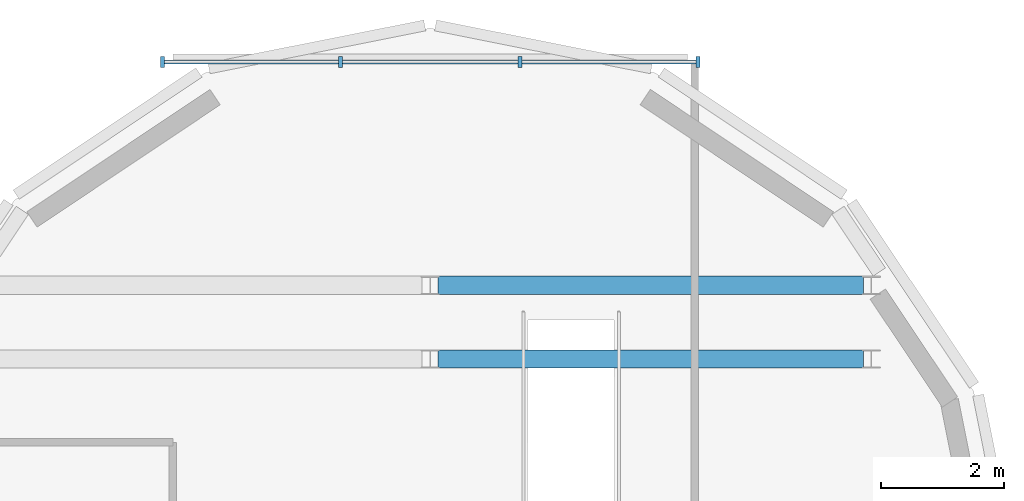
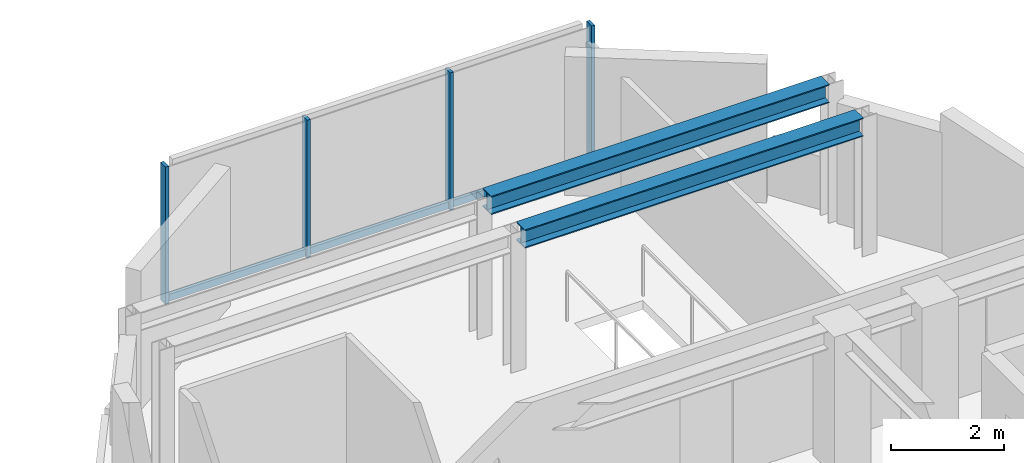
# One storey, part 6 of 12: 7 members, 2 beams, 1 element without a shape of its own.
"""IFC4 building model written with IfcOpenShell, lengths in metres."""

from ifc_helpers import new_model, si_unit, direction, frame, origin, origin_2d, place, context, subcontext, project, spatial, rectangle, i_section, extrude, source, transform, mapped, material, material_profile, profile_set, type_object, element, aggregate, save


model = new_model("IFC4")

# Units and contexts
model_context = context("Model", 3, precision=1e-05, world=origin(), true_north=direction((0.0, 1.0)))
body_context = subcontext(model_context, "Body", "Model", "MODEL_VIEW")
ifc_project = project(units=[si_unit("LENGTHUNIT", "METRE"), si_unit("AREAUNIT", "SQUARE_METRE"), si_unit("VOLUMEUNIT", "CUBIC_METRE"), si_unit("PLANEANGLEUNIT", "RADIAN"), si_unit("MASSUNIT", "GRAM", prefix="KILO")], contexts=[model_context])

# Site, building, storey
site_placement = place(None, origin())
site = spatial("IfcSite", under=ifc_project, at=site_placement, CompositionType="ELEMENT")
building_placement = place(site_placement, origin())
building = spatial("IfcBuilding", under=site, at=building_placement, Name="Keilestroom Media Tower", CompositionType="ELEMENT")
storey_placement = place(building_placement, frame((0.0, 0.0, 233.199951171875)))
storey = spatial("IfcBuildingStorey", under=building, at=storey_placement, Name="L64", CompositionType="ELEMENT", Elevation=233.199951171875)

# Beams
ifc_material_1 = material(Name="Steel S355", Category="steel")
ifc_material_profile_1 = material_profile(ifc_material_1, i_section(OverallWidth=0.300048828125, OverallDepth=0.39990234375, WebThickness=0.011474609375, FlangeThickness=0.02392578125, at=origin_2d()), Name="HEB 400")
ifc_profile_set_1 = profile_set([ifc_material_profile_1], Name="Steel S355")
beam_type = type_object("IfcBeamType", Name="Primary-Structural-Girder-HEB-400", PredefinedType="BEAM", material=ifc_profile_set_1)
shared_shape_1 = source(origin(), body_context, "Body", "SweptSolid", [
    extrude(i_section(OverallWidth=0.300048828125, OverallDepth=0.39990234375, WebThickness=0.011474609375, FlangeThickness=0.02392578125, at=origin_2d()), origin(), (0.0, 0.0, 1.0), 6.940185546875),
])
for number, where, z_axis, x_axis, name in (
    (1, (0.1298828125, 14.39990234375, 2.81005859375), (1.0, 0.0, 0.0), (0.0, 1.0, 0.0), "L64 Beam BG-8 BM-L64-EW-022"),
    (2, (0.1298828125, 15.60009765625, 2.81005859375), (1.0, 0.0, 0.0), (0.0, 1.0, 0.0), "L64 Beam BG-8 BM-L64-EW-024"),
):
    element("IfcBeam", number, at=place(storey_placement, frame(where, z_axis=z_axis, x_axis=x_axis)), inside=storey, type_object=beam_type, Name=name, PredefinedType="BEAM", context=body_context, shape_type="MappedRepresentation", body=[
        mapped(shared_shape_1, transform((0.0, 0.0, 0.0), x_axis=(1.0, 0.0, 0.0), y_axis=(0.0, 1.0, 0.0), z_axis=(0.0, 0.0, 1.0), scale=1.0)),
    ])

# Curtain wall, members
ifc_material_2 = material(Name="Anodised Aluminium Alloy", Category="aluminium")
curtain_wall_type = type_object("IfcCurtainWallType", Name="Unitised-Curtain-Wall-CW-6", PredefinedType="NOTDEFINED", material=ifc_material_2)
curtain_wall_placement = place(storey_placement, origin())
curtain_wall = element("IfcCurtainWall", 3, at=curtain_wall_placement, inside=storey, type_object=curtain_wall_type, Name="L64 Curtain Wall CW-6 CW-L64-LN-1", PredefinedType="NOTDEFINED")
ifc_material_profile_2 = material_profile(ifc_material_2, rectangle(XDim=0.06494140625, YDim=0.179931640625, at=origin_2d()), Name="ALU MULLION 65x180")
ifc_profile_set_2 = profile_set([ifc_material_profile_2], Name="Anodised Aluminium Alloy")
member_type_1 = type_object("IfcMemberType", Name="Curtain-Wall-Mullion-CW-6", PredefinedType="MULLION", material=ifc_profile_set_2)
shared_shape_2 = source(origin(), body_context, "Body", "SweptSolid", [
    extrude(rectangle(XDim=0.06494140625, YDim=0.179931640625, at=origin_2d()), origin(), (0.0, 0.0, 1.0), 2.97998046875),
])
member_1_placement = place(storey_placement, frame((-4.367431640625, 19.25, 0.0), z_axis=(0.0, 0.0, 1.0), x_axis=(1.0, 0.0, 0.0)))
member_1 = element("IfcMember", 4, at=member_1_placement, type_object=member_type_1, Name="CW-6 Mullion 00", PredefinedType="MULLION", context=body_context, shape_type="MappedRepresentation", body=[
    mapped(shared_shape_2, transform((0.0, 0.0, 0.0), x_axis=(1.0, 0.0, 0.0), y_axis=(0.0, 1.0, 0.0), z_axis=(0.0, 0.0, 1.0), scale=1.0)),
])
member_2_placement = place(storey_placement, frame((-1.466796875, 19.25, 0.0), z_axis=(0.0, 0.0, 1.0), x_axis=(1.0, 0.0, 0.0)))
member_2 = element("IfcMember", 5, at=member_2_placement, type_object=member_type_1, Name="CW-6 Mullion 01", PredefinedType="MULLION", context=body_context, shape_type="MappedRepresentation", body=[
    mapped(shared_shape_2, transform((0.0, 0.0, 0.0), x_axis=(1.0, 0.0, 0.0), y_axis=(0.0, 1.0, 0.0), z_axis=(0.0, 0.0, 1.0), scale=1.0)),
])
member_3_placement = place(storey_placement, frame((1.466796875, 19.25, 0.0), z_axis=(0.0, 0.0, 1.0), x_axis=(1.0, 0.0, 0.0)))
member_3 = element("IfcMember", 6, at=member_3_placement, type_object=member_type_1, Name="CW-6 Mullion 02", PredefinedType="MULLION", context=body_context, shape_type="MappedRepresentation", body=[
    mapped(shared_shape_2, transform((0.0, 0.0, 0.0), x_axis=(1.0, 0.0, 0.0), y_axis=(0.0, 1.0, 0.0), z_axis=(0.0, 0.0, 1.0), scale=1.0)),
])
member_4_placement = place(storey_placement, frame((4.367431640625, 19.25, 0.0), z_axis=(0.0, 0.0, 1.0), x_axis=(1.0, 0.0, 0.0)))
member_4 = element("IfcMember", 7, at=member_4_placement, type_object=member_type_1, Name="CW-6 Mullion 03", PredefinedType="MULLION", context=body_context, shape_type="MappedRepresentation", body=[
    mapped(shared_shape_2, transform((0.0, 0.0, 0.0), x_axis=(1.0, 0.0, 0.0), y_axis=(0.0, 1.0, 0.0), z_axis=(0.0, 0.0, 1.0), scale=1.0)),
])
ifc_material_profile_3 = material_profile(ifc_material_2, rectangle(XDim=0.06494140625, YDim=0.14990234375, at=origin_2d()), Name="ALU TRANSOM 65x150")
ifc_profile_set_3 = profile_set([ifc_material_profile_3], Name="Anodised Aluminium Alloy")
member_type_2 = type_object("IfcMemberType", Name="Curtain-Wall-Transom-CW-6", PredefinedType="USERDEFINED", material=ifc_profile_set_3)
shared_shape_3 = source(origin(), body_context, "Body", "SweptSolid", [
    extrude(rectangle(XDim=0.06494140625, YDim=0.14990234375, at=origin_2d()), origin(), (0.0, 0.0, 1.0), 2.839599609375),
])
member_5_placement = place(storey_placement, frame((-4.3369140625, 19.25, 0.074951171875), z_axis=(1.0, 0.0, 0.0), x_axis=(0.0, 1.0, 0.0)))
member_5 = element("IfcMember", 8, at=member_5_placement, type_object=member_type_2, Name="CW-6 Transom 00.1", ObjectType="TRANSOM", PredefinedType="USERDEFINED", context=body_context, shape_type="MappedRepresentation", body=[
    mapped(shared_shape_3, transform((0.0, 0.0, 0.0), x_axis=(1.0, 0.0, 0.0), y_axis=(0.0, 1.0, 0.0), z_axis=(0.0, 0.0, 1.0), scale=1.0)),
])
member_6_placement = place(storey_placement, frame((1.497314453125, 19.25, 0.074951171875), z_axis=(1.0, 0.0, 0.0), x_axis=(0.0, 1.0, 0.0)))
member_6 = element("IfcMember", 9, at=member_6_placement, type_object=member_type_2, Name="CW-6 Transom 02.1", ObjectType="TRANSOM", PredefinedType="USERDEFINED", context=body_context, shape_type="MappedRepresentation", body=[
    mapped(shared_shape_3, transform((0.0, 0.0, 0.0), x_axis=(1.0, 0.0, 0.0), y_axis=(0.0, 1.0, 0.0), z_axis=(0.0, 0.0, 1.0), scale=1.0)),
])
shared_shape_4 = source(origin(), body_context, "Body", "SweptSolid", [
    extrude(rectangle(XDim=0.06494140625, YDim=0.14990234375, at=origin_2d()), origin(), (0.0, 0.0, 1.0), 2.87255859375),
])
member_7_placement = place(storey_placement, frame((-1.436279296875, 19.25, 0.074951171875), z_axis=(1.0, 0.0, 0.0), x_axis=(0.0, 1.0, 0.0)))
member_7 = element("IfcMember", 10, at=member_7_placement, type_object=member_type_2, Name="CW-6 Transom 01.1", ObjectType="TRANSOM", PredefinedType="USERDEFINED", context=body_context, shape_type="MappedRepresentation", body=[
    mapped(shared_shape_4, transform((0.0, 0.0, 0.0), x_axis=(1.0, 0.0, 0.0), y_axis=(0.0, 1.0, 0.0), z_axis=(0.0, 0.0, 1.0), scale=1.0)),
])
aggregate(curtain_wall, [member_1, member_2, member_3, member_4, member_5, member_7, member_6])

save(model, "model.ifc")
